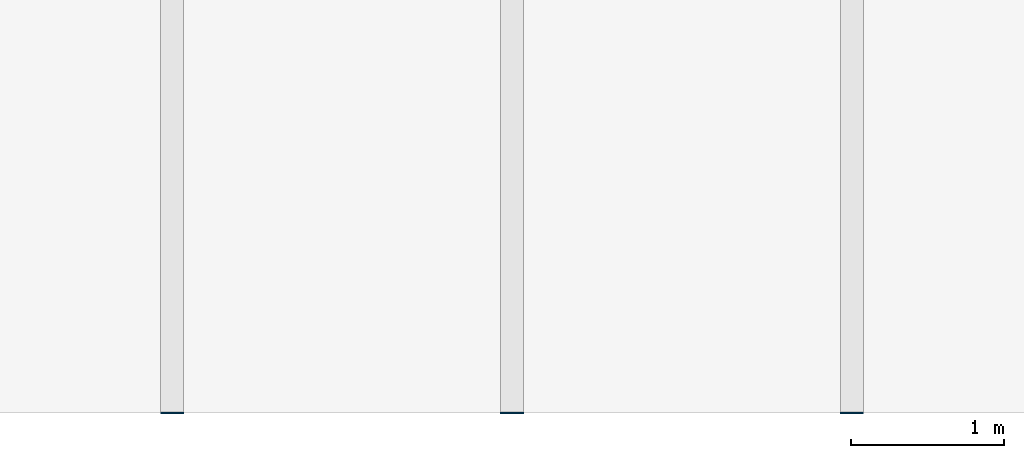
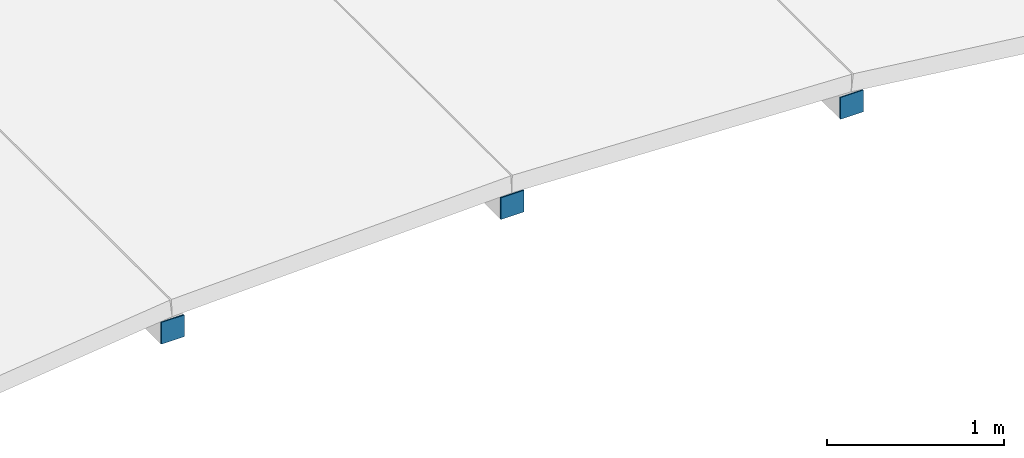
# One storey, part 38 of 47: 3 discrete accessories.
"""IFC4 building model written with IfcOpenShell, lengths in metres."""

from ifc_helpers import new_model, si_unit, direction, frame, origin, origin_2d, place, context, subcontext, project, spatial, rectangle, extrude, material, material_profile, profile_set, type_object, element, save


model = new_model("IFC4")

# Units and contexts
model_context = context("Model", 3, precision=1e-05, world=origin(), true_north=direction((0.0, 1.0)))
body_context = subcontext(model_context, "Body", "Model", "MODEL_VIEW")
ifc_project = project(units=[si_unit("LENGTHUNIT", "METRE"), si_unit("AREAUNIT", "SQUARE_METRE"), si_unit("VOLUMEUNIT", "CUBIC_METRE"), si_unit("PLANEANGLEUNIT", "RADIAN"), si_unit("MASSUNIT", "GRAM", prefix="KILO")], contexts=[model_context])

# Site, building, storey
site_placement = place(None, origin())
site = spatial("IfcSite", under=ifc_project, at=site_placement, CompositionType="ELEMENT")
building_placement = place(site_placement, origin())
building = spatial("IfcBuilding", under=site, at=building_placement, Name="Laocheng Heights Fire and Rescue Headquarters", CompositionType="ELEMENT")
storey_placement = place(building_placement, frame((0.0, 0.0, 16.800048828125)))
storey = spatial("IfcBuildingStorey", under=building, at=storey_placement, Name="L04", CompositionType="ELEMENT", Elevation=16.800048828125)

# Discrete accessories
ifc_material = material(Name="Steel Q355B", Category="steel")
ifc_material_profile = material_profile(ifc_material, rectangle(XDim=0.14990234375, YDim=0.14990234375, at=origin_2d()), Name="END CAP PLATE 150 x 150 x 8 FOR BAY ROOF PURLIN SHS 150x150x8")
ifc_profile_set = profile_set([ifc_material_profile], Name="Steel Q355B")
discrete_accessory_type = type_object("IfcDiscreteAccessoryType", Name="END CAP PLATE 150 x 150 x 8 FOR BAY ROOF PURLIN SHS 150x150x8", PredefinedType="BRACKET", material=ifc_profile_set)
for number, where, z_axis, x_axis, name in (
    (1, (33.785400390625, -0.008056640625, 0.1279296875), (0.0, 1.0, 0.0), (-1.0, 0.0, 0.0), "Cap plate at Purlin 8.1 end 1"),
    (2, (36.0, -0.008056640625, 0.2119140625), (0.0, 1.0, 0.0), (-1.0, 0.0, 0.0), "Cap plate at Purlin 9.1 end 1"),
    (3, (38.214599609375, -0.008056640625, 0.1279296875), (0.0, 1.0, 0.0), (-1.0, 0.0, 0.0), "Cap plate at Purlin 10.1 end 1"),
):
    element("IfcDiscreteAccessory", number, at=place(storey_placement, frame(where, z_axis=z_axis, x_axis=x_axis)), inside=storey, type_object=discrete_accessory_type, Name=name, PredefinedType="BRACKET", context=body_context, shape_type="SweptSolid", body=[
        extrude(rectangle(XDim=0.14990234375, YDim=0.14990234375, at=origin_2d()), origin(), (0.0, 0.0, 1.0), 0.008056640625),
    ])

save(model, "model.ifc")
